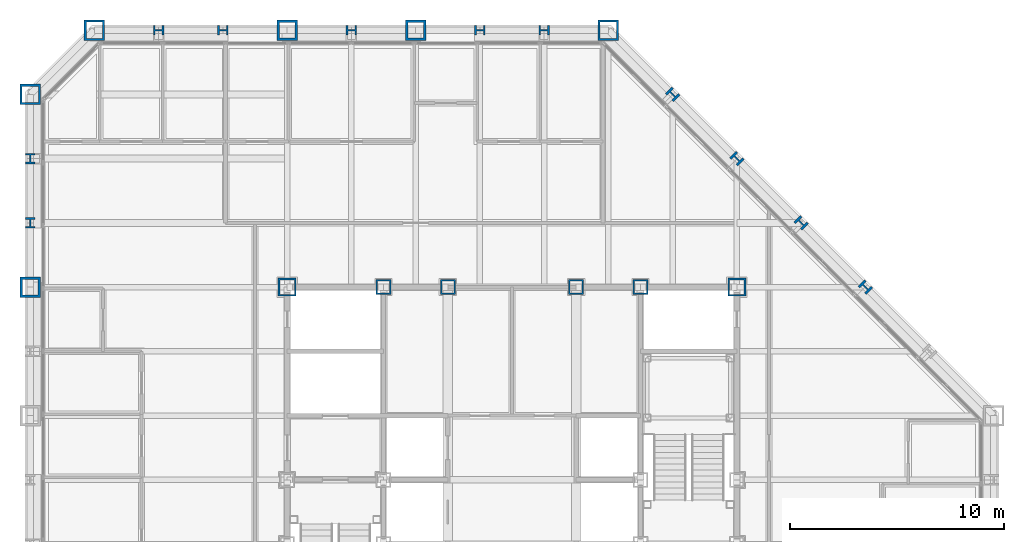
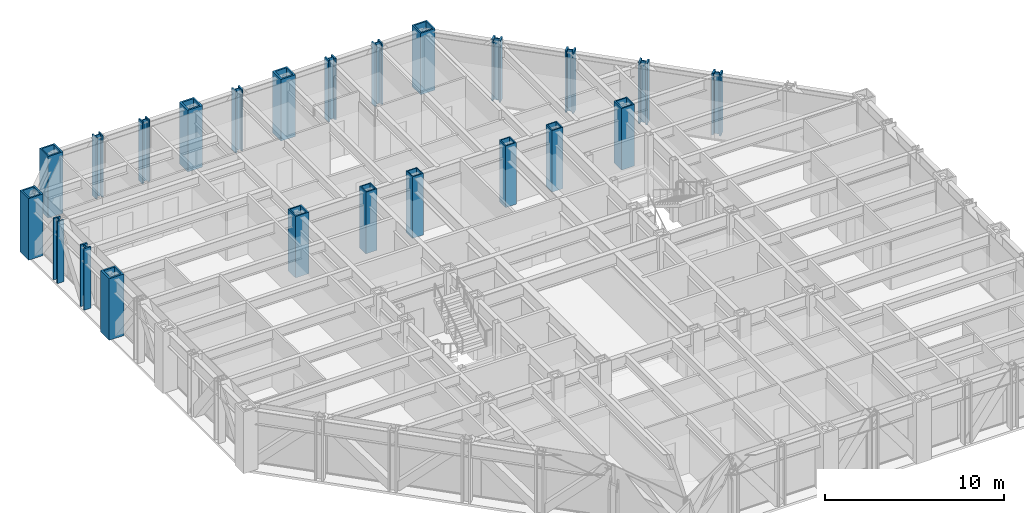
# One storey, part 3 of 16: 23 columns.
"""IFC4 building model written with IfcOpenShell, lengths in metres."""

from ifc_helpers import new_model, si_unit, direction, frame, origin, origin_2d, place, context, subcontext, project, spatial, hollow_rectangle, i_section, extrude, material, material_profile, profile_set, type_object, element, save


model = new_model("IFC4")

# Units and contexts
model_context = context("Model", 3, precision=1e-05, world=origin(), true_north=direction((0.0, 1.0)))
body_context = subcontext(model_context, "Body", "Model", "MODEL_VIEW")
ifc_project = project(units=[si_unit("LENGTHUNIT", "METRE"), si_unit("AREAUNIT", "SQUARE_METRE"), si_unit("VOLUMEUNIT", "CUBIC_METRE"), si_unit("PLANEANGLEUNIT", "RADIAN"), si_unit("MASSUNIT", "GRAM", prefix="KILO")], contexts=[model_context])

# Site, building, storey
site_placement = place(None, origin())
site = spatial("IfcSite", under=ifc_project, at=site_placement, CompositionType="ELEMENT")
building_placement = place(site_placement, origin())
building = spatial("IfcBuilding", under=site, at=building_placement, Name="Chuquiago Exchange Tower", CompositionType="ELEMENT")
storey_placement = place(building_placement, frame((0.0, 0.0, 115.199951171875)))
storey = spatial("IfcBuildingStorey", under=building, at=storey_placement, Name="L24", CompositionType="ELEMENT", Elevation=115.199951171875)

# Columns
ifc_material_1 = material(Name="Steel ASTM A992", Category="steel")
ifc_material_profile_1 = material_profile(ifc_material_1, i_section(OverallWidth=0.431884765625, OverallDepth=0.497802734375, WebThickness=0.0556640625, FlangeThickness=0.0888671875, at=origin_2d()), Name="W14X500")
ifc_profile_set_1 = profile_set([ifc_material_profile_1], Name="Steel ASTM A992")
column_type_1 = type_object("IfcColumnType", Name="C3 W14X500", PredefinedType="COLUMN", material=ifc_profile_set_1)
for number, where, z_axis, x_axis, name in (
    (1, (24.0, 45.0, 0.0), (0.0, 0.0, 1.0), (0.0, 1.0, 0.0), "COL-L24-24_45"),
    (2, (21.0, 45.0, 0.0), (0.0, 0.0, 1.0), (0.0, 1.0, 0.0), "COL-L24-21_45"),
    (3, (15.0, 45.0, 0.0), (0.0, 0.0, 1.0), (0.0, 1.0, 0.0), "COL-L24-15_45"),
    (4, (9.0, 45.0, 0.0), (0.0, 0.0, 1.0), (0.0, 1.0, 0.0), "COL-L24-9_45"),
    (5, (6.0, 45.0, 0.0), (0.0, 0.0, 1.0), (0.0, 1.0, 0.0), "COL-L24-6_45"),
    (6, (0.0, 39.0, 0.0), (0.0, 0.0, 1.0), (-1.0, 0.0, 0.0), "COL-L24-0_39"),
    (7, (0.0, 36.0, 0.0), (0.0, 0.0, 1.0), (-1.0, 0.0, 0.0), "COL-L24-0_36"),
):
    element("IfcColumn", number, at=place(storey_placement, frame(where, z_axis=z_axis, x_axis=x_axis)), inside=storey, type_object=column_type_1, Name=name, PredefinedType="COLUMN", context=body_context, shape_type="SweptSolid", body=[
        extrude(i_section(OverallWidth=0.431884765625, OverallDepth=0.497802734375, WebThickness=0.0556640625, FlangeThickness=0.0888671875, at=origin_2d()), origin(), (0.0, 0.0, 1.0), 4.199951171875),
    ])
ifc_material_2 = material(Name="Steel ASTM A572 Grade 50", Category="steel")
ifc_material_profile_2 = material_profile(ifc_material_2, hollow_rectangle(XDim=0.699951171875, YDim=0.699951171875, WallThickness=0.070068359375, at=origin_2d()), Name="BOX700X700X70")
ifc_profile_set_2 = profile_set([ifc_material_profile_2], Name="Steel ASTM A572 Grade 50")
column_type_2 = type_object("IfcColumnType", Name="CC3 BOX700X700X70", PredefinedType="COLUMN", material=ifc_profile_set_2)
for number, where, z_axis, x_axis, name in (
    (8, (16.5, 33.0, 0.0), (0.0, 0.0, 1.0), (1.0, 0.0, 0.0), "CCOL-L24-16.5_33"),
    (9, (19.5, 33.0, 0.0), (0.0, 0.0, 1.0), (1.0, 0.0, 0.0), "CCOL-L24-19.5_33"),
    (10, (25.5, 33.0, 0.0), (0.0, 0.0, 1.0), (1.0, 0.0, 0.0), "CCOL-L24-25.5_33"),
    (11, (28.5, 33.0, 0.0), (0.0, 0.0, 1.0), (1.0, 0.0, 0.0), "CCOL-L24-28.5_33"),
):
    element("IfcColumn", number, at=place(storey_placement, frame(where, z_axis=z_axis, x_axis=x_axis)), inside=storey, type_object=column_type_2, Name=name, PredefinedType="COLUMN", context=body_context, shape_type="SweptSolid", body=[
        extrude(hollow_rectangle(XDim=0.699951171875, YDim=0.699951171875, WallThickness=0.070068359375, at=origin_2d()), origin(), (0.0, 0.0, 1.0), 4.199951171875),
    ])
ifc_material_3 = material(Name="Steel ASTM A572 Grade 50", Category="steel")
ifc_material_profile_3 = material_profile(ifc_material_3, hollow_rectangle(XDim=0.85009765625, YDim=0.85009765625, WallThickness=0.0849609375, at=origin_2d()), Name="BOX850X850X85")
ifc_profile_set_3 = profile_set([ifc_material_profile_3], Name="Steel ASTM A572 Grade 50")
column_type_3 = type_object("IfcColumnType", Name="CC6 BOX850X850X85", PredefinedType="COLUMN", material=ifc_profile_set_3)
for number, where, z_axis, x_axis, name in (
    (12, (12.0, 33.0, 0.0), (0.0, 0.0, 1.0), (1.0, 0.0, 0.0), "CCOL-L24-12_33"),
    (13, (33.0, 33.0, 0.0), (0.0, 0.0, 1.0), (1.0, 0.0, 0.0), "CCOL-L24-33_33"),
):
    element("IfcColumn", number, at=place(storey_placement, frame(where, z_axis=z_axis, x_axis=x_axis)), inside=storey, type_object=column_type_3, Name=name, PredefinedType="COLUMN", context=body_context, shape_type="SweptSolid", body=[
        extrude(hollow_rectangle(XDim=0.85009765625, YDim=0.85009765625, WallThickness=0.0849609375, at=origin_2d()), origin(), (0.0, 0.0, 1.0), 4.199951171875),
    ])
ifc_material_4 = material(Name="Steel ASTM A992", Category="steel")
ifc_material_profile_4 = material_profile(ifc_material_4, i_section(OverallWidth=0.44189453125, OverallDepth=0.53076171875, WebThickness=0.06591796875, FlangeThickness=0.105712890625, at=origin_2d()), Name="W14X605")
ifc_profile_set_4 = profile_set([ifc_material_profile_4], Name="Steel ASTM A992")
column_type_4 = type_object("IfcColumnType", Name="CK3 W14X605", PredefinedType="COLUMN", material=ifc_profile_set_4)
for number, where, z_axis, x_axis, name in (
    (14, (39.0, 33.0, 0.0), (0.0, 0.0, 1.0), (0.707106781187, 0.707106781187, 0.0), "COL-L24-39_33"),
    (15, (36.0, 36.0, 0.0), (0.0, 0.0, 1.0), (0.707106781187, 0.707106781187, 0.0), "COL-L24-36_36"),
    (16, (33.0, 39.0, 0.0), (0.0, 0.0, 1.0), (0.707106781187, 0.707106781187, 0.0), "COL-L24-33_39"),
    (17, (30.0, 42.0, 0.0), (0.0, 0.0, 1.0), (0.707106781187, 0.707106781187, 0.0), "COL-L24-30_42"),
):
    element("IfcColumn", number, at=place(storey_placement, frame(where, z_axis=z_axis, x_axis=x_axis)), inside=storey, type_object=column_type_4, Name=name, PredefinedType="COLUMN", context=body_context, shape_type="SweptSolid", body=[
        extrude(i_section(OverallWidth=0.44189453125, OverallDepth=0.53076171875, WebThickness=0.06591796875, FlangeThickness=0.105712890625, at=origin_2d()), origin(), (0.0, 0.0, 1.0), 4.199951171875),
    ])
ifc_material_5 = material(Name="Steel ASTM A572 Grade 50", Category="steel")
ifc_material_profile_5 = material_profile(ifc_material_5, hollow_rectangle(XDim=0.949951171875, YDim=0.949951171875, WallThickness=0.094970703125, at=origin_2d()), Name="BOX950X950X95")
ifc_profile_set_5 = profile_set([ifc_material_profile_5], Name="Steel ASTM A572 Grade 50")
column_type_5 = type_object("IfcColumnType", Name="CN1 BOX950X950X95", PredefinedType="COLUMN", material=ifc_profile_set_5)
for number, where, z_axis, x_axis, name in (
    (18, (27.0, 45.0, 0.0), (0.0, 0.0, 1.0), (0.0, 1.0, 0.0), "COL-L24-27_45"),
    (19, (3.0, 45.0, 0.0), (0.0, 0.0, 1.0), (0.0, 1.0, 0.0), "COL-L24-3_45"),
    (20, (0.0, 42.0, 0.0), (0.0, 0.0, 1.0), (-1.0, 0.0, 0.0), "COL-L24-0_42"),
):
    element("IfcColumn", number, at=place(storey_placement, frame(where, z_axis=z_axis, x_axis=x_axis)), inside=storey, type_object=column_type_5, Name=name, PredefinedType="COLUMN", context=body_context, shape_type="SweptSolid", body=[
        extrude(hollow_rectangle(XDim=0.949951171875, YDim=0.949951171875, WallThickness=0.094970703125, at=origin_2d()), origin(), (0.0, 0.0, 1.0), 4.199951171875),
    ])
ifc_material_6 = material(Name="Steel ASTM A572 Grade 42", Category="steel")
ifc_material_profile_6 = material_profile(ifc_material_6, hollow_rectangle(XDim=0.949951171875, YDim=0.949951171875, WallThickness=0.110107421875, at=origin_2d()), Name="BOX950X950X110")
ifc_profile_set_6 = profile_set([ifc_material_profile_6], Name="Steel ASTM A572 Grade 42")
column_type_6 = type_object("IfcColumnType", Name="CT1 BOX950X950X110", PredefinedType="COLUMN", material=ifc_profile_set_6)
for number, where, z_axis, x_axis, name in (
    (21, (18.0, 45.0, 0.0), (0.0, 0.0, 1.0), (0.0, 1.0, 0.0), "COL-L24-18_45"),
    (22, (12.0, 45.0, 0.0), (0.0, 0.0, 1.0), (0.0, 1.0, 0.0), "COL-L24-12_45"),
    (23, (0.0, 33.0, 0.0), (0.0, 0.0, 1.0), (-1.0, 0.0, 0.0), "COL-L24-0_33"),
):
    element("IfcColumn", number, at=place(storey_placement, frame(where, z_axis=z_axis, x_axis=x_axis)), inside=storey, type_object=column_type_6, Name=name, PredefinedType="COLUMN", context=body_context, shape_type="SweptSolid", body=[
        extrude(hollow_rectangle(XDim=0.949951171875, YDim=0.949951171875, WallThickness=0.110107421875, at=origin_2d()), origin(), (0.0, 0.0, 1.0), 4.199951171875),
    ])

save(model, "model.ifc")
